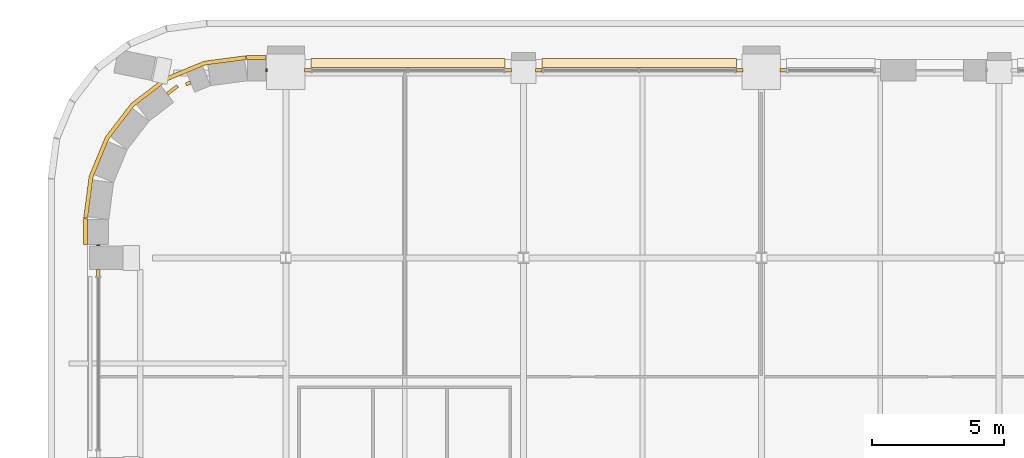
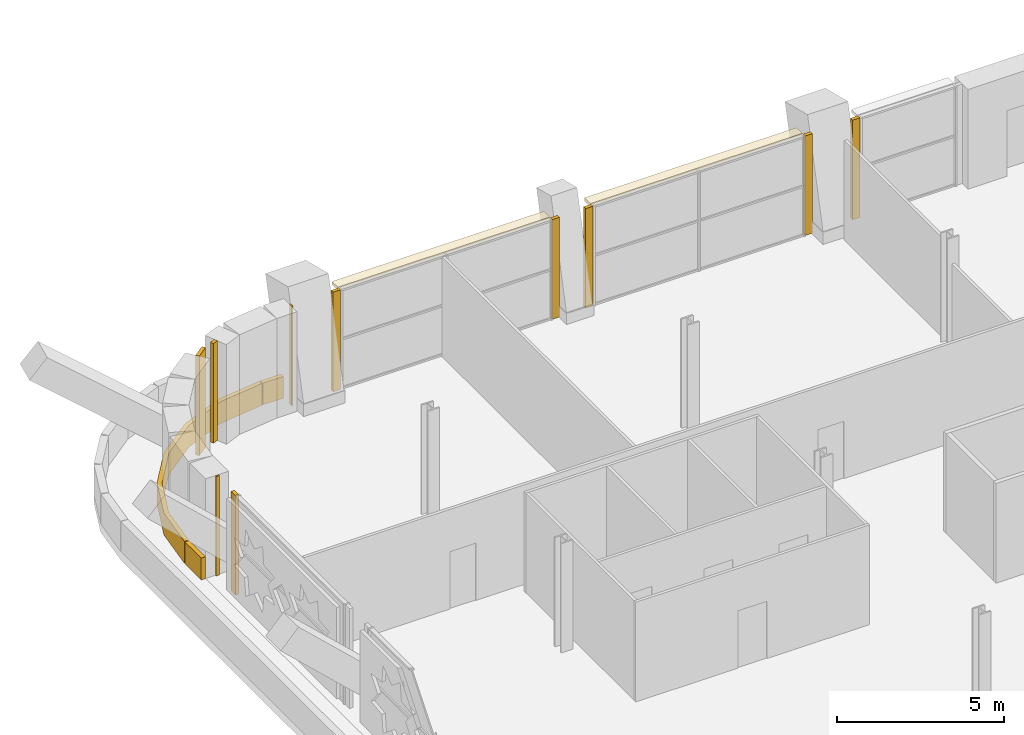
# One storey, part 20 of 23: 15 coverings.
"""IFC4 building model written with IfcOpenShell, lengths in metres."""

import ifcopenshell
import ifcopenshell.guid

model = None  # the IFC model being written
_history = None  # IfcOwnerHistory: only IFC2X3 demands one
_inside = {}  # id of a spatial element -> (the spatial element, [elements in it])
_under = {}  # id of a project, library or spatial element -> (it, [spatial elements below it])
_declared = {}  # id of a project -> (the project, [libraries it declares])
_typed = {}  # id of a type object -> (the type object, [elements of that type])
_made_of = {}  # id of a material, layer set ... -> (it, [elements and type objects made of it])


def new_model(schema):
    """Start an empty IFC model of exactly this schema.

    Asked for "IFC4X3", IfcOpenShell would pick the latest addendum, in which some entities
    have other attributes; the version numbers below select the first issue.
    IFC2X3 requires an IfcOwnerHistory on every rooted entity: one is made here for all.
    """
    global model, _history
    if schema == "IFC4X3":
        model = ifcopenshell.file(schema_version=(4, 3, 0, 0))
    else:
        model = ifcopenshell.file(schema=schema)
    _inside.clear()
    _under.clear()
    _declared.clear()
    _typed.clear()
    _made_of.clear()
    _history = None
    if model.schema == "IFC2X3":
        org = make("IfcOrganization", Name="unknown")
        user = make(
            "IfcPersonAndOrganization",
            ThePerson=make("IfcPerson", FamilyName="unknown"),
            TheOrganization=org,
        )
        app = make(
            "IfcApplication",
            ApplicationDeveloper=org,
            Version="unknown",
            ApplicationFullName="unknown",
            ApplicationIdentifier="unknown",
        )
        _history = make(
            "IfcOwnerHistory",
            OwningUser=user,
            OwningApplication=app,
            ChangeAction="ADDED",
            CreationDate=0,
        )
    return model


def make(cls, **values):
    """One entity of the class cls with the attributes given. An attribute that is None is left unset."""
    return model.create_entity(
        cls, **{name: value for name, value in values.items() if value is not None}
    )


def rooted(cls, **values):
    """An entity with a GlobalId (a new one), such as an element, a storey or a relation."""
    return make(cls, GlobalId=ifcopenshell.guid.new(), OwnerHistory=_history, **values)


def si_unit(unit_type, name, prefix=None):
    """IfcSIUnit, for example si_unit("LENGTHUNIT", "METRE", prefix="MILLI")."""
    return make("IfcSIUnit", UnitType=unit_type, Prefix=prefix, Name=name)


def assignment(units):
    """IfcUnitAssignment: the units of a project."""
    return None if units is None else make("IfcUnitAssignment", Units=units)


def point(xyz):
    """IfcCartesianPoint."""
    return None if xyz is None else make("IfcCartesianPoint", Coordinates=xyz)


def direction(xyz):
    """IfcDirection."""
    return None if xyz is None else make("IfcDirection", DirectionRatios=xyz)


def frame(location, z_axis=None, x_axis=None):
    """IfcAxis2Placement3D, a coordinate frame: its origin and axes. An axis left out is left unset."""
    return make(
        "IfcAxis2Placement3D",
        Location=point(location),
        Axis=direction(z_axis),
        RefDirection=direction(x_axis),
    )


def frame_2d(location, x_axis=None):
    """IfcAxis2Placement2D, a coordinate frame in the plane: its origin and x axis."""
    return make(
        "IfcAxis2Placement2D", Location=point(location), RefDirection=direction(x_axis)
    )


def origin():
    """The frame at (0, 0, 0) with its axes left unset."""
    return frame((0.0, 0.0, 0.0))


def origin_2d():
    """The frame at (0, 0) in the plane with its x axis left unset."""
    return frame_2d((0.0, 0.0))


def place(relative_to, where):
    """IfcLocalPlacement: puts the frame where relative to a parent placement (None: the world)."""
    return make(
        "IfcLocalPlacement", PlacementRelTo=relative_to, RelativePlacement=where
    )


def context(
    kind, dimensions, precision=None, world=None, true_north=None, identifier=None
):
    """IfcGeometricRepresentationContext, for example the 3D "Model" context."""
    return make(
        "IfcGeometricRepresentationContext",
        ContextIdentifier=identifier,
        ContextType=kind,
        CoordinateSpaceDimension=dimensions,
        Precision=precision,
        WorldCoordinateSystem=world,
        TrueNorth=true_north,
    )


def subcontext(parent, identifier, kind, view, scale=None):
    """IfcGeometricRepresentationSubContext, for example "Body" below "Model"."""
    return make(
        "IfcGeometricRepresentationSubContext",
        ContextIdentifier=identifier,
        ContextType=kind,
        ParentContext=parent,
        TargetScale=scale,
        TargetView=view,
    )


def project(units=None, contexts=None):
    """IfcProject with its units and contexts."""
    return rooted(
        "IfcProject",
        Name="project",
        RepresentationContexts=contexts,
        UnitsInContext=assignment(units),
    )


def spatial(cls, under=None, at=None, **own):
    """A site, building, storey or space (cls), placed at a placement, below another one or the project."""
    s = rooted(cls, ObjectPlacement=at, **own)
    if under is not None:
        _under.setdefault(under.id(), (under, []))[1].append(s)
    return s


def polyline(points):
    """IfcPolyline through the points."""
    return make("IfcPolyline", Points=[point(p) for p in points])


def profile(cls, at=None, kind="AREA", **sizes):
    """A parametric profile (cls). Its sizes go by their IFC names, for example OverallWidth=200.0."""
    return make(cls, ProfileType=kind, Position=at, **sizes)


def rectangle(**sizes):
    """IfcRectangleProfileDef."""
    return profile("IfcRectangleProfileDef", **sizes)


def outline(outer, holes=None, kind="AREA"):
    """IfcArbitraryClosedProfileDef: a profile drawn as a closed curve; with holes, ...WithVoids."""
    if holes is None:
        return make("IfcArbitraryClosedProfileDef", ProfileType=kind, OuterCurve=outer)
    return make(
        "IfcArbitraryProfileDefWithVoids",
        ProfileType=kind,
        OuterCurve=outer,
        InnerCurves=holes,
    )


def extrude(swept, where, along, depth):
    """IfcExtrudedAreaSolid: the profile swept, set in the frame where, extruded along a direction by depth."""
    return make(
        "IfcExtrudedAreaSolid",
        SweptArea=swept,
        Position=where,
        ExtrudedDirection=direction(along),
        Depth=depth,
    )


def shape(context_of_items, identifier, shape_type, items):
    """IfcShapeRepresentation: the items that make up one representation, for example the "Body"."""
    return make(
        "IfcShapeRepresentation",
        ContextOfItems=context_of_items,
        RepresentationIdentifier=identifier,
        RepresentationType=shape_type,
        Items=items,
    )


def material(Name=None, Category=None):
    """IfcMaterial."""
    return make("IfcMaterial", Name=Name, Category=Category)


def layer(
    of_material, thickness, ventilated=None, Name=None, Category=None, Priority=None
):
    """IfcMaterialLayer: one layer of a wall or slab, of a material (None: an air gap)."""
    return make(
        "IfcMaterialLayer",
        Material=of_material,
        LayerThickness=thickness,
        IsVentilated=ventilated,
        Name=Name,
        Category=Category,
        Priority=Priority,
    )


def layer_set(layers, Name=None):
    """IfcMaterialLayerSet."""
    return make("IfcMaterialLayerSet", MaterialLayers=layers, LayerSetName=Name)


def made_of(thing, what):
    """Note that an element or type object is made of a material, layer set ...; save() writes the relation."""
    if what is not None:
        _made_of.setdefault(what.id(), (what, []))[1].append(thing)
    return thing


def type_object(cls, material=None, **own):
    """A type object (cls), such as IfcWallType, which elements share."""
    return made_of(rooted(cls, **own), material)


def element(
    cls,
    number,
    at=None,
    inside=None,
    cuts=None,
    type_object=None,
    material=None,
    context=None,
    identifier="Body",
    shape_type=None,
    held_by="IfcProductDefinitionShape",
    body=None,
    shapes=None,
    **own,
):
    """One element of the class cls, such as IfcWall. Its Tag is "e" and its number.

    at: its placement. inside: the storey or other place that contains it. cuts: it is an
    opening in that element (IfcRelVoidsElement). A single representation is given by context,
    identifier, shape_type and body (its items); several are given by shapes. held_by: the class
    of the entity that holds the representations. save() writes the other relations.
    """
    e = rooted(cls, Tag="e%d" % number, ObjectPlacement=at, **own)
    if body is not None:
        shapes = [shape(context, identifier, shape_type, body)]
    if shapes is not None:
        e.Representation = make(held_by, Representations=shapes)
    if inside is not None:
        _inside.setdefault(inside.id(), (inside, []))[1].append(e)
    if cuts is not None:
        rooted(
            "IfcRelVoidsElement", RelatingBuildingElement=cuts, RelatedOpeningElement=e
        )
    if type_object is not None:
        _typed.setdefault(type_object.id(), (type_object, []))[1].append(e)
    return made_of(e, material)


def aggregate(whole, parts):
    """IfcRelAggregates: a whole, such as a stair, and the parts it consists of."""
    return rooted("IfcRelAggregates", RelatingObject=whole, RelatedObjects=parts)


def save(model, path):
    """Write the relations noted so far, then the file.

    IfcRelAggregates (storeys below a building ...), IfcRelContainedInSpatialStructure (elements
    in a storey), IfcRelDefinesByType, IfcRelAssociatesMaterial and IfcRelDeclares: one each for
    every whole, place, type object, material and project.
    """
    for whole, parts in _under.values():
        aggregate(whole, parts)
    for where, things in _inside.values():
        rooted(
            "IfcRelContainedInSpatialStructure",
            RelatedElements=things,
            RelatingStructure=where,
        )
    for kind, things in _typed.values():
        rooted("IfcRelDefinesByType", RelatedObjects=things, RelatingType=kind)
    for what, things in _made_of.values():
        rooted("IfcRelAssociatesMaterial", RelatedObjects=things, RelatingMaterial=what)
    for by, libraries in _declared.values():
        rooted("IfcRelDeclares", RelatingContext=by, RelatedDefinitions=libraries)
    model.write(path)


model = new_model("IFC4")

# Units and contexts
model_context = context("Model", 3, precision=1e-05, world=origin(), true_north=direction((0.0, 1.0)))
body_context = subcontext(model_context, "Body", "Model", "MODEL_VIEW")
ifc_project = project(units=[si_unit("LENGTHUNIT", "METRE"), si_unit("AREAUNIT", "SQUARE_METRE"), si_unit("VOLUMEUNIT", "CUBIC_METRE"), si_unit("PLANEANGLEUNIT", "RADIAN"), si_unit("MASSUNIT", "GRAM", prefix="KILO")], contexts=[model_context])

# Site, building, storey
site_placement = place(None, origin())
site = spatial("IfcSite", under=ifc_project, at=site_placement, CompositionType="ELEMENT")
building_placement = place(site_placement, origin())
building = spatial("IfcBuilding", under=site, at=building_placement, Name="Zellij Exchange Tower", CompositionType="ELEMENT")
storey_placement = place(building_placement, frame((0.0, 0.0, 212.5)))
storey = spatial("IfcBuildingStorey", under=building, at=storey_placement, Name="L49", CompositionType="ELEMENT", Elevation=212.5)

# Coverings
ifc_material_1 = material(Name="Limestone cladding", Category="masonry")
ifc_layer_1 = layer(ifc_material_1, 0.14990234375)
ifc_layer_set_1 = layer_set([ifc_layer_1], Name="Limestone cladding")
covering_type_1 = type_object("IfcCoveringType", Name="ENV-CV1 Stone spandrel band 150", PredefinedType="CLADDING", material=ifc_layer_set_1)
covering_1_placement = place(storey_placement, origin())
element("IfcCovering", 1, at=covering_1_placement, inside=storey, type_object=covering_type_1, Name="Stone spandrel band", PredefinedType="CLADDING", context=body_context, shape_type="SweptSolid", body=[
    extrude(outline(polyline([(-27.75, 29.5), (-28.473876953125, 29.5), (-28.483642578125, 29.64990234375), (-27.75, 29.64990234375), (-27.75, 29.5)])), origin(), (0.0, 0.0, 1.0), 0.800048828125),
])
covering_2_placement = place(storey_placement, origin())
element("IfcCovering", 2, at=covering_2_placement, inside=storey, type_object=covering_type_1, Name="Stone spandrel band", PredefinedType="CLADDING", context=body_context, shape_type="SweptSolid", body=[
    extrude(outline(polyline([(-34.5, 23.473876953125), (-34.5, 22.5), (-34.64990234375, 22.5), (-34.64990234375, 23.483642578125), (-34.5, 23.473876953125)])), origin(), (0.0, 0.0, 1.0), 0.800048828125),
])
covering_3_placement = place(storey_placement, origin())
element("IfcCovering", 3, at=covering_3_placement, inside=storey, type_object=covering_type_1, Name="Stone spandrel band", PredefinedType="CLADDING", context=body_context, shape_type="SweptSolid", body=[
    extrude(outline(polyline([(-28.5, 29.5), (-30.052978515625, 29.295654296875), (-31.5, 28.6962890625), (-32.74267578125, 27.74267578125), (-33.6962890625, 26.5), (-34.295654296875, 25.052978515625), (-34.5, 23.5), (-34.64990234375, 23.509765625), (-34.441650390625, 25.092041015625), (-33.8271484375, 26.57568359375), (-32.849609375, 27.849609375), (-31.57568359375, 28.8271484375), (-30.092041015625, 29.441650390625), (-28.509765625, 29.64990234375), (-28.5, 29.5)])), origin(), (0.0, 0.0, 1.0), 0.800048828125),
])
ifc_layer_2 = layer(ifc_material_1, 0.1201171875)
ifc_layer_set_2 = layer_set([ifc_layer_2], Name="Limestone cladding")
covering_type_2 = type_object("IfcCoveringType", Name="ENV-CV18 Glazing closer 120", PredefinedType="CLADDING", material=ifc_layer_set_2)
covering_4_placement = place(storey_placement, frame((-31.291015625, 28.352294921875, 0.0), z_axis=(0.0, 0.0, 1.0), x_axis=(0.793316151692, 0.608809891071, 0.0)))
element("IfcCovering", 4, at=covering_4_placement, inside=storey, type_object=covering_type_2, Name="Glazing closer", PredefinedType="CLADDING", context=body_context, shape_type="SweptSolid", body=[
    extrude(rectangle(XDim=0.492919921875, YDim=0.1201171875, at=origin_2d()), origin(), (0.0, 0.0, 1.0), 3.64990234375),
])
for number, where, z_axis, x_axis, name in (
    (5, (-34.10009765625, 21.425048828125, 0.0), (0.0, 0.0, 1.0), (0.0, 1.0, 0.0), "Glazing closer"),
    (6, (-8.175048828125, 29.10009765625, 0.0), (0.0, 0.0, 1.0), (-1.0, 0.0, 0.0), "Glazing closer"),
    (7, (-9.824951171875, 29.10009765625, 0.0), (0.0, 0.0, 1.0), (1.0, 0.0, 0.0), "Glazing closer"),
    (8, (-17.425048828125, 29.10009765625, 0.0), (0.0, 0.0, 1.0), (-1.0, 0.0, 0.0), "Glazing closer"),
    (9, (-18.574951171875, 29.10009765625, 0.0), (0.0, 0.0, 1.0), (1.0, 0.0, 0.0), "Glazing closer"),
    (10, (-26.175048828125, 29.10009765625, 0.0), (0.0, 0.0, 1.0), (-1.0, 0.0, 0.0), "Glazing closer"),
):
    element("IfcCovering", number, at=place(storey_placement, frame(where, z_axis=z_axis, x_axis=x_axis)), inside=storey, type_object=covering_type_2, Name=name, PredefinedType="CLADDING", context=body_context, shape_type="SweptSolid", body=[
        extrude(rectangle(XDim=0.25, YDim=0.1201171875, at=origin_2d()), origin(), (0.0, 0.0, 1.0), 3.64990234375),
    ])
covering_5_placement = place(storey_placement, frame((-30.68896484375, 28.59912109375, 0.0), z_axis=(0.0, 0.0, 1.0), x_axis=(-0.923881536224, -0.382678594938, 0.0)))
element("IfcCovering", 11, at=covering_5_placement, inside=storey, type_object=covering_type_2, Name="Glazing closer", PredefinedType="CLADDING", context=body_context, shape_type="SweptSolid", body=[
    extrude(rectangle(XDim=0.19091796875, YDim=0.1201171875, at=origin_2d()), origin(), (0.0, 0.0, 1.0), 3.64990234375),
])
for number, where, z_axis, x_axis, name in (
    (12, (-34.10009765625, 22.47509765625, 0.0), (0.0, 0.0, 1.0), (0.0, -1.0, 0.0), "Glazing closer"),
    (13, (-27.72509765625, 29.10009765625, 0.0), (0.0, 0.0, 1.0), (1.0, 0.0, 0.0), "Glazing closer"),
):
    element("IfcCovering", number, at=place(storey_placement, frame(where, z_axis=z_axis, x_axis=x_axis)), inside=storey, type_object=covering_type_2, Name=name, PredefinedType="CLADDING", context=body_context, shape_type="SweptSolid", body=[
        extrude(rectangle(XDim=0.050048828125, YDim=0.1201171875, at=origin_2d()), origin(), (0.0, 0.0, 1.0), 3.64990234375),
    ])
ifc_material_2 = material(Name="Limestone sunshade", Category="masonry")
ifc_layer_3 = layer(ifc_material_2, 0.1201171875)
ifc_layer_set_3 = layer_set([ifc_layer_3], Name="Limestone sunshade")
covering_type_3 = type_object("IfcCoveringType", Name="ENV-SC2 Stone sunshade 120", PredefinedType="USERDEFINED", material=ifc_layer_set_3)
covering_6_placement = place(storey_placement, frame((0.0, 0.0, 3.530029296875)))
element("IfcCovering", 14, at=covering_6_placement, inside=storey, type_object=covering_type_3, Name="Stone sunshade", ObjectType="SUNSHADE", PredefinedType="USERDEFINED", context=body_context, shape_type="SweptSolid", body=[
    extrude(outline(polyline([(-9.949951171875, 29.199951171875), (-17.300048828125, 29.199951171875), (-17.300048828125, 29.550048828125), (-9.949951171875, 29.550048828125), (-9.949951171875, 29.199951171875)])), origin(), (0.0, 0.0, 1.0), 0.119873046875),
])
covering_7_placement = place(storey_placement, frame((0.0, 0.0, 3.530029296875)))
element("IfcCovering", 15, at=covering_7_placement, inside=storey, type_object=covering_type_3, Name="Stone sunshade", ObjectType="SUNSHADE", PredefinedType="USERDEFINED", context=body_context, shape_type="SweptSolid", body=[
    extrude(outline(polyline([(-18.699951171875, 29.199951171875), (-26.050048828125, 29.199951171875), (-26.050048828125, 29.550048828125), (-18.699951171875, 29.550048828125), (-18.699951171875, 29.199951171875)])), origin(), (0.0, 0.0, 1.0), 0.119873046875),
])

save(model, "model.ifc")
